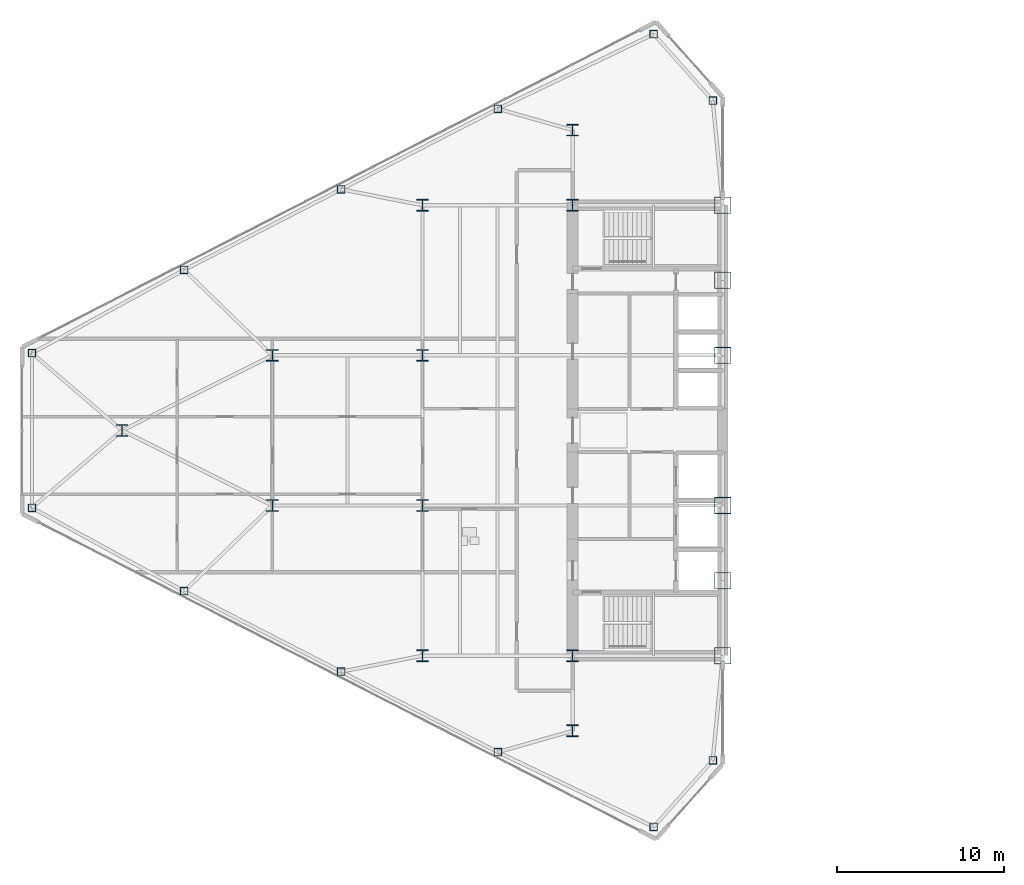
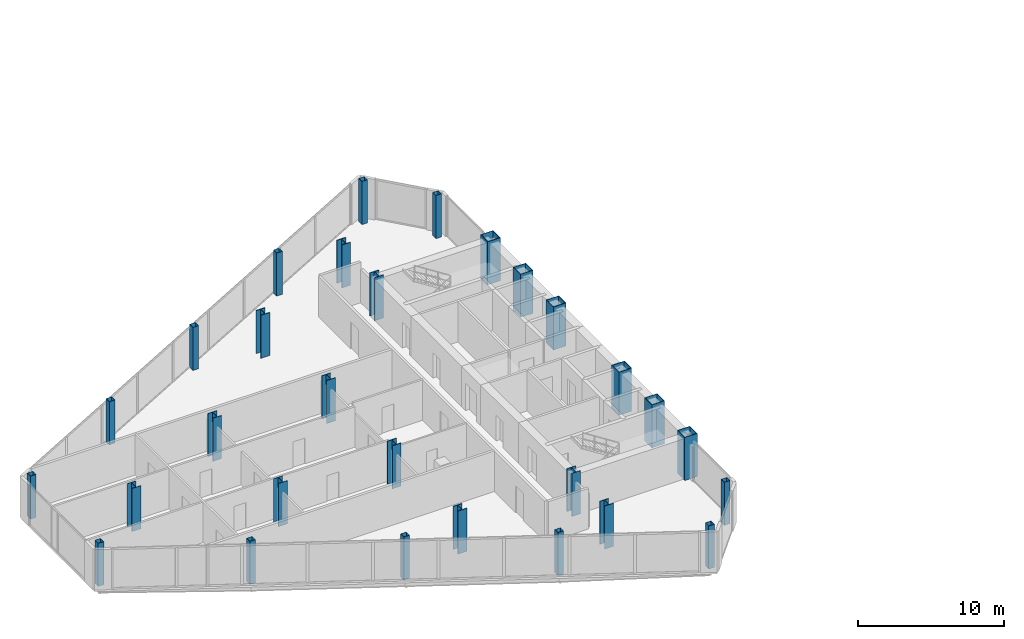
# One storey, part 1 of 23: 29 columns.
"""IFC4 building model written with IfcOpenShell, lengths in metres."""

from ifc_helpers import new_model, si_unit, direction, frame, origin, origin_2d, place, context, subcontext, project, spatial, hollow_rectangle, i_section, extrude, source, transform, mapped, material, material_profile, profile_set, type_object, type_shapes, element, save


model = new_model("IFC4")

# Units and contexts
model_context = context("Model", 3, precision=1e-05, world=origin(), true_north=direction((0.0, 1.0)))
body_context = subcontext(model_context, "Body", "Model", "MODEL_VIEW")
ifc_project = project(units=[si_unit("LENGTHUNIT", "METRE"), si_unit("AREAUNIT", "SQUARE_METRE"), si_unit("VOLUMEUNIT", "CUBIC_METRE"), si_unit("PLANEANGLEUNIT", "RADIAN"), si_unit("MASSUNIT", "GRAM", prefix="KILO")], contexts=[model_context])

# Site, building, storey
site_placement = place(None, origin())
site = spatial("IfcSite", under=ifc_project, at=site_placement, CompositionType="ELEMENT")
building_placement = place(site_placement, origin())
building = spatial("IfcBuilding", under=site, at=building_placement, Name="Seokmaru Belvedere", CompositionType="ELEMENT")
storey_placement = place(building_placement, frame((0.0, 0.0, 128.39990234375)))
storey = spatial("IfcBuildingStorey", under=building, at=storey_placement, Name="L34", CompositionType="ELEMENT", Elevation=128.39990234375)

# Columns
ifc_material_1 = material(Name="Steel HSA650 (650 MPa)", Category="steel")
ifc_material_profile_1 = material_profile(ifc_material_1, hollow_rectangle(XDim=1.0, YDim=1.0, WallThickness=0.0419921875, at=origin_2d()), Name="BOX-1000x1000x42")
ifc_profile_set_1 = profile_set([ifc_material_profile_1], Name="Steel HSA650 (650 MPa)")
column_type_1 = type_object("IfcColumnType", Name="Portal Spine Column BOX-1000", PredefinedType="COLUMN", material=ifc_profile_set_1)
shared_shape_1 = source(origin(), body_context, "Body", "SweptSolid", [
    extrude(hollow_rectangle(XDim=1.0, YDim=1.0, WallThickness=0.0419921875, at=origin_2d()), origin(), (0.0, 0.0, 1.0), 3.60009765625),
])
type_shapes(column_type_1, [shared_shape_1])
for number, where, z_axis, x_axis, name in (
    (1, (-27.5, -13.5, 0.0), (0.0, 0.0, 1.0), (1.0, 0.0, 0.0), "L34 Column WS1"),
    (2, (-27.5, -9.0, 0.0), (0.0, 0.0, 1.0), (1.0, 0.0, 0.0), "L34 Column WS2"),
    (3, (-27.5, -4.5, 0.0), (0.0, 0.0, 1.0), (1.0, 0.0, 0.0), "L34 Column WS3"),
    (4, (-27.5, 4.5, 0.0), (0.0, 0.0, 1.0), (1.0, 0.0, 0.0), "L34 Column WS4"),
    (5, (-27.5, 9.0, 0.0), (0.0, 0.0, 1.0), (1.0, 0.0, 0.0), "L34 Column WS5"),
    (6, (-27.5, 13.5, 0.0), (0.0, 0.0, 1.0), (1.0, 0.0, 0.0), "L34 Column WS6"),
):
    element("IfcColumn", number, at=place(storey_placement, frame(where, z_axis=z_axis, x_axis=x_axis)), inside=storey, type_object=column_type_1, Name=name, PredefinedType="COLUMN", context=body_context, shape_type="MappedRepresentation", body=[
        mapped(shared_shape_1, transform((0.0, 0.0, 0.0), scale=1.0)),
    ])
ifc_material_2 = material(Name="Steel SM355 (355 MPa)", Category="steel")
ifc_material_profile_2 = material_profile(ifc_material_2, i_section(OverallWidth=0.699951171875, OverallDepth=0.699951171875, WebThickness=0.028076171875, FlangeThickness=0.044921875, at=origin_2d()), Name="H-700x700x28x45")
ifc_profile_set_2 = profile_set([ifc_material_profile_2], Name="Steel SM355 (355 MPa)")
column_type_2 = type_object("IfcColumnType", Name="Mid Interior Column H-700", PredefinedType="COLUMN", material=ifc_profile_set_2)
shared_shape_2 = source(origin(), body_context, "Body", "SweptSolid", [
    extrude(i_section(OverallWidth=0.699951171875, OverallDepth=0.699951171875, WebThickness=0.028076171875, FlangeThickness=0.044921875, at=origin_2d()), origin(), (0.0, 0.0, 1.0), 3.60009765625),
])
type_shapes(column_type_2, [shared_shape_2])
for number, where, z_axis, x_axis, name in (
    (7, (-36.5, -18.0, 0.0), (0.0, 0.0, 1.0), (1.0, 0.0, 0.0), "L34 Column WC1"),
    (8, (-36.5, -13.5, 0.0), (0.0, 0.0, 1.0), (1.0, 0.0, 0.0), "L34 Column WC2"),
    (9, (-36.5, 13.5, 0.0), (0.0, 0.0, 1.0), (1.0, 0.0, 0.0), "L34 Column WC3"),
    (10, (-36.5, 18.0, 0.0), (0.0, 0.0, 1.0), (1.0, 0.0, 0.0), "L34 Column WC4"),
    (11, (-45.5, -13.5, 0.0), (0.0, 0.0, 1.0), (1.0, 0.0, 0.0), "L34 Column WG5_1"),
    (12, (-45.5, -4.5, 0.0), (0.0, 0.0, 1.0), (1.0, 0.0, 0.0), "L34 Column WG5_2"),
    (13, (-45.5, 4.5, 0.0), (0.0, 0.0, 1.0), (1.0, 0.0, 0.0), "L34 Column WG5_3"),
    (14, (-45.5, 13.5, 0.0), (0.0, 0.0, 1.0), (1.0, 0.0, 0.0), "L34 Column WG5_4"),
    (15, (-54.5, -4.5, 0.0), (0.0, 0.0, 1.0), (1.0, 0.0, 0.0), "L34 Column WG4P_1"),
    (16, (-54.5, 4.5, 0.0), (0.0, 0.0, 1.0), (1.0, 0.0, 0.0), "L34 Column WG4P_2"),
    (17, (-63.5, 0.0, 0.0), (0.0, 0.0, 1.0), (1.0, 0.0, 0.0), "L34 Column WG3P_1"),
):
    element("IfcColumn", number, at=place(storey_placement, frame(where, z_axis=z_axis, x_axis=x_axis)), inside=storey, type_object=column_type_2, Name=name, PredefinedType="COLUMN", context=body_context, shape_type="MappedRepresentation", body=[
        mapped(shared_shape_2, transform((0.0, 0.0, 0.0), scale=1.0)),
    ])
ifc_material_profile_3 = material_profile(ifc_material_2, hollow_rectangle(XDim=0.449951171875, YDim=0.449951171875, WallThickness=0.01806640625, at=origin_2d()), Name="HSS-450x450x18")
ifc_profile_set_3 = profile_set([ifc_material_profile_3], Name="Steel SM355 (355 MPa)")
column_type_3 = type_object("IfcColumnType", Name="Perimeter Facet Column HSS-450", PredefinedType="COLUMN", material=ifc_profile_set_3)
shared_shape_3 = source(origin(), body_context, "Body", "SweptSolid", [
    extrude(hollow_rectangle(XDim=0.449951171875, YDim=0.449951171875, WallThickness=0.01806640625, at=origin_2d()), origin(), (0.0, 0.0, 1.0), 3.60009765625),
])
type_shapes(column_type_3, [shared_shape_3])
for number, where, z_axis, x_axis, name in (
    (18, (-28.10009765625, -19.77197265625, 0.0), (0.0, 0.0, 1.0), (1.0, 0.0, 0.0), "L34 Column WF1"),
    (19, (-28.10009765625, 19.77197265625, 0.0), (0.0, 0.0, 1.0), (1.0, 0.0, 0.0), "L34 Column WF2"),
    (20, (-31.6396484375, 23.75390625, 0.0), (0.0, 0.0, 1.0), (1.0, 0.0, 0.0), "L34 Column WF3"),
    (21, (-68.89990234375, 4.633544921875, 0.0), (0.0, 0.0, 1.0), (1.0, 0.0, 0.0), "L34 Column WF4"),
    (22, (-68.89990234375, -4.633544921875, 0.0), (0.0, 0.0, 1.0), (1.0, 0.0, 0.0), "L34 Column WF5"),
    (23, (-31.6396484375, -23.75390625, 0.0), (0.0, 0.0, 1.0), (1.0, 0.0, 0.0), "L34 Column WF6"),
    (24, (-40.975830078125, -19.277587890625, 0.0), (0.0, 0.0, 1.0), (1.0, 0.0, 0.0), "L34 Column WFLK_S1"),
    (25, (-50.377197265625, -14.453369140625, 0.0), (0.0, 0.0, 1.0), (1.0, 0.0, 0.0), "L34 Column WFLK_S2"),
    (26, (-59.778564453125, -9.62890625, 0.0), (0.0, 0.0, 1.0), (1.0, 0.0, 0.0), "L34 Column WFLK_S3"),
    (27, (-40.975830078125, 19.277587890625, 0.0), (0.0, 0.0, 1.0), (1.0, 0.0, 0.0), "L34 Column WFLK_N1"),
    (28, (-50.377197265625, 14.453369140625, 0.0), (0.0, 0.0, 1.0), (1.0, 0.0, 0.0), "L34 Column WFLK_N2"),
    (29, (-59.778564453125, 9.62890625, 0.0), (0.0, 0.0, 1.0), (1.0, 0.0, 0.0), "L34 Column WFLK_N3"),
):
    element("IfcColumn", number, at=place(storey_placement, frame(where, z_axis=z_axis, x_axis=x_axis)), inside=storey, type_object=column_type_3, Name=name, PredefinedType="COLUMN", context=body_context, shape_type="MappedRepresentation", body=[
        mapped(shared_shape_3, transform((0.0, 0.0, 0.0), scale=1.0)),
    ])

save(model, "model.ifc")
